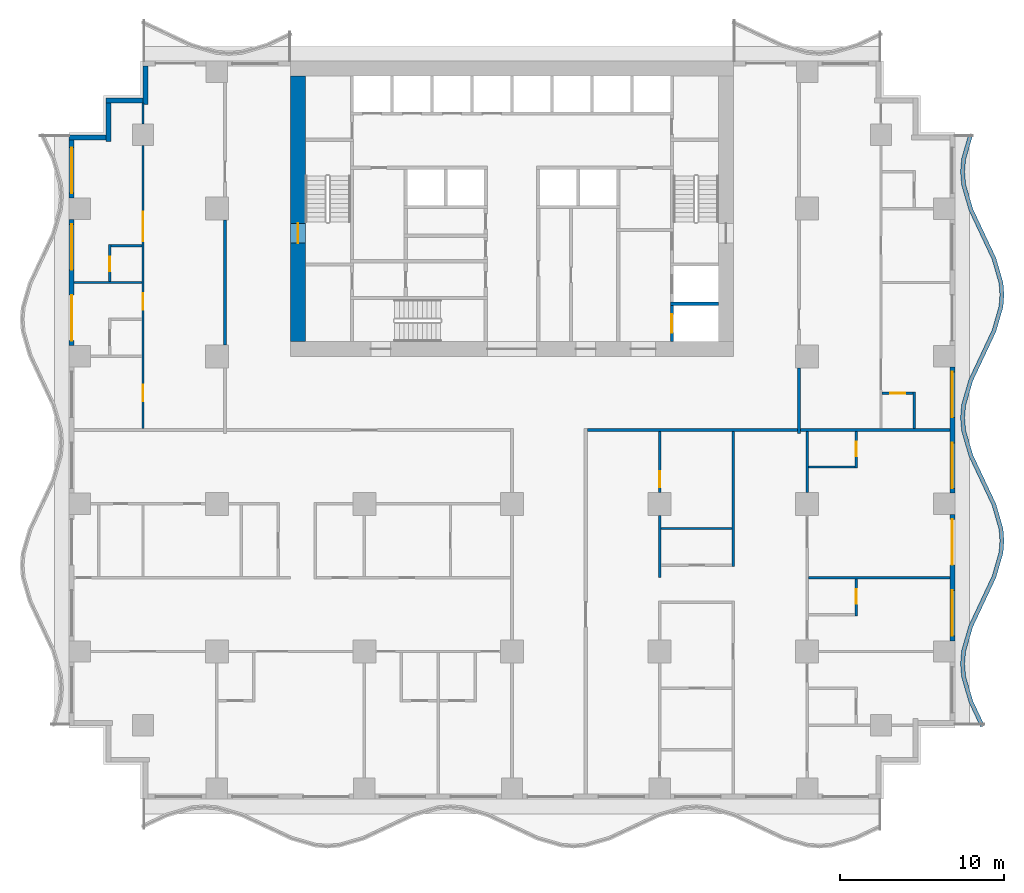
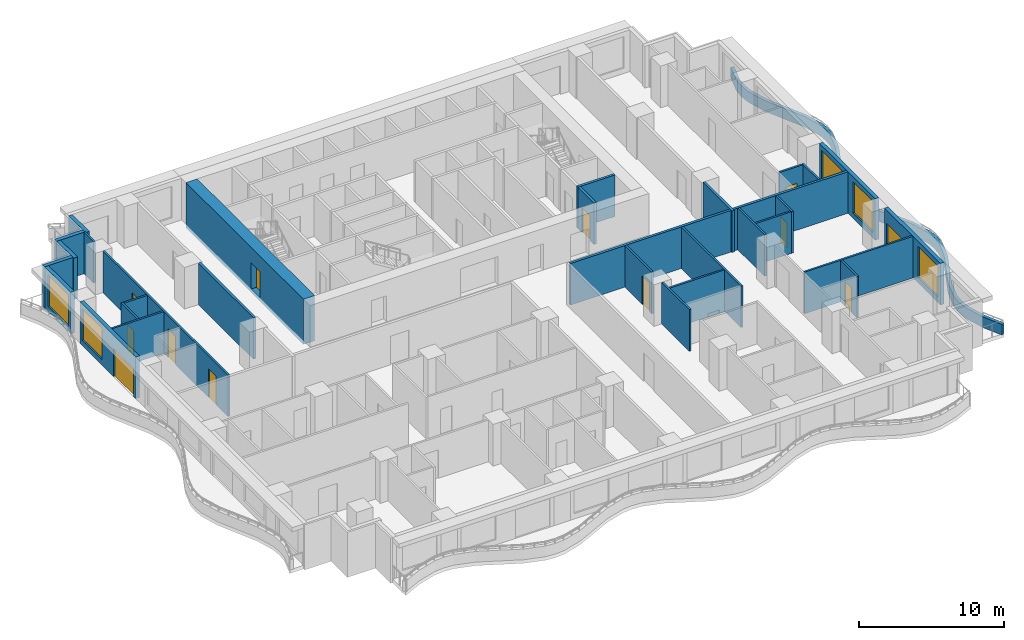
# One storey, part 4 of 13: 32 walls, 12 doors, 5 windows, 17 openings.
"""IFC4 building model written with IfcOpenShell, lengths in metres."""

from ifc_helpers import new_model, si_unit, direction, frame, frame_2d, origin, place, context, subcontext, project, spatial, polyline, rectangle, outline, extrude, material, layer, layer_set, type_object, element, fill, save


model = new_model("IFC4")

# Units and contexts
model_context = context("Model", 3, precision=1e-05, world=origin(), true_north=direction((0.0, 1.0)))
body_context = subcontext(model_context, "Body", "Model", "MODEL_VIEW")
ifc_project = project(units=[si_unit("LENGTHUNIT", "METRE"), si_unit("AREAUNIT", "SQUARE_METRE"), si_unit("VOLUMEUNIT", "CUBIC_METRE"), si_unit("PLANEANGLEUNIT", "RADIAN"), si_unit("MASSUNIT", "GRAM", prefix="KILO")], contexts=[model_context])

# Site, building, storey
site_placement = place(None, origin())
site = spatial("IfcSite", under=ifc_project, at=site_placement, CompositionType="ELEMENT")
building_placement = place(site_placement, origin())
building = spatial("IfcBuilding", under=site, at=building_placement, Name="Orbiselva Terraces", CompositionType="ELEMENT")
storey_placement = place(building_placement, frame((0.0, 0.0, 92.2)))
storey = spatial("IfcBuildingStorey", under=building, at=storey_placement, Name="L23", CompositionType="ELEMENT", Elevation=92.2)

# Wall, opening, door
ifc_material_1 = material(Name="Concrete C80/95", Category="concrete")
ifc_layer_1 = layer(ifc_material_1, 0.9)
ifc_layer_set_1 = layer_set([ifc_layer_1], Name="Concrete C80/95")
wall_type_1 = type_object("IfcWallType", Name="CORE WALL 900", PredefinedType="SHEAR", material=ifc_layer_set_1)
wall_1_placement = place(storey_placement, frame((-13.05, 21.6, -0.3), z_axis=(0.0, 0.0, 1.0), x_axis=(0.0, -1.0, 0.0)))
wall_1 = element("IfcWall", 1, at=wall_1_placement, inside=storey, type_object=wall_type_1, Name="Core wall L23 west", PredefinedType="SHEAR", context=body_context, shape_type="SweptSolid", body=[
    extrude(rectangle(XDim=16.2, YDim=0.9, at=frame_2d((8.1, 0.0))), origin(), (0.0, 0.0, 1.0), 3.8),
])
opening_1_placement = place(wall_1_placement, frame((9.0, 0.0, 0.3)))
opening_1 = element("IfcOpeningElement", 2, at=opening_1_placement, cuts=wall_1, Name="Opening DS1200", PredefinedType="OPENING", context=body_context, shape_type="SweptSolid", body=[
    extrude(rectangle(XDim=1.2, YDim=2.2, at=frame_2d((0.6, 1.1))), frame((0.0, 0.46, 0.0), z_axis=(0.0, -1.0, 0.0), x_axis=(1.0, 0.0, 0.0)), (0.0, 0.0, 1.0), 0.92),
])
ifc_material_2 = material(Name="Steel fire door", Category="steel")
door_type_1 = type_object("IfcDoorType", Name="STAIR DOOR 1200", OperationType="NOTDEFINED", PredefinedType="DOOR", material=ifc_material_2)
door_1_placement = place(opening_1_placement, frame((1.2, 0.0, 0.0), z_axis=(0.0, 0.0, 1.0), x_axis=(-1.0, 0.0, 0.0)))
door_1 = element("IfcDoor", 3, at=door_1_placement, inside=storey, type_object=door_type_1, Name="L23 EXIT STAIR S1 door", OperationType="SINGLE_SWING_RIGHT", OverallHeight=2.2, OverallWidth=1.2, PredefinedType="DOOR", context=body_context, shape_type="SweptSolid", body=[
    extrude(rectangle(XDim=1.2, YDim=2.2, at=frame_2d((0.6, 1.1))), frame((0.0, 0.025, 0.0), z_axis=(0.0, -1.0, 0.0), x_axis=(1.0, 0.0, 0.0)), (0.0, 0.0, 1.0), 0.05),
])
fill(opening_1, door_1)

ifc_material_3 = material(Name="Concrete C60/75", Category="concrete")
ifc_layer_2 = layer(ifc_material_3, 0.2)
ifc_layer_set_2 = layer_set([ifc_layer_2], Name="Concrete C60/75")
wall_type_2 = type_object("IfcWallType", Name="CORE-WALL-SHEAR-200", PredefinedType="SHEAR", material=ifc_layer_set_2)
wall_2_placement = place(storey_placement, frame((9.75, 5.4, 0.0), z_axis=(0.0, 0.0, 1.0), x_axis=(0.0, 1.0, 0.0)))
wall_2 = element("IfcWall", 4, at=wall_2_placement, inside=storey, type_object=wall_type_2, Name="L23 core wall 42", PredefinedType="SHEAR", context=body_context, shape_type="SweptSolid", body=[
    extrude(rectangle(XDim=2.2, YDim=0.2, at=frame_2d((1.1, 0.0))), origin(), (0.0, 0.0, 1.0), 3.5),
])
opening_2_placement = place(wall_2_placement, frame((0.55, 0.0, 0.0)))
opening_2 = element("IfcOpeningElement", 5, at=opening_2_placement, cuts=wall_2, Name="Opening LD-FF1", PredefinedType="OPENING", context=body_context, shape_type="SweptSolid", body=[
    extrude(rectangle(XDim=1.1, YDim=2.1, at=frame_2d((0.55, 1.05))), frame((0.0, 0.11, 0.0), z_axis=(0.0, -1.0, 0.0), x_axis=(1.0, 0.0, 0.0)), (0.0, 0.0, 1.0), 0.22),
])
ifc_material_4 = material(Name="Stainless steel landing door", Category="steel")
door_type_2 = type_object("IfcDoorType", Name="LANDING DOOR 1100", OperationType="SLIDING_TO_LEFT", PredefinedType="DOOR", material=ifc_material_4)
door_2_placement = place(opening_2_placement, origin())
door_2 = element("IfcDoor", 6, at=door_2_placement, inside=storey, type_object=door_type_2, Name="L23 landing door FF1", OperationType="SLIDING_TO_RIGHT", OverallHeight=2.1, OverallWidth=1.1, PredefinedType="DOOR", context=body_context, shape_type="SweptSolid", body=[
    extrude(rectangle(XDim=1.1, YDim=2.1, at=frame_2d((0.55, 1.05))), frame((0.0, 0.025, 0.0), z_axis=(0.0, -1.0, 0.0), x_axis=(1.0, 0.0, 0.0)), (0.0, 0.0, 1.0), 0.05),
])
fill(opening_2, door_2)

# Walls
wall_3_placement = place(storey_placement, frame((9.65, 7.7, 0.0), z_axis=(0.0, 0.0, 1.0), x_axis=(1.0, 0.0, 0.0)))
element("IfcWall", 7, at=wall_3_placement, inside=storey, type_object=wall_type_2, Name="L23 core wall 43", PredefinedType="SHEAR", context=body_context, shape_type="SweptSolid", body=[
    extrude(rectangle(XDim=2.95, YDim=0.2, at=frame_2d((1.475, 0.0))), origin(), (0.0, 0.0, 1.0), 3.5),
])
ifc_material_5 = material(Name="Concrete C40/50", Category="concrete")
ifc_layer_3 = layer(ifc_material_5, 0.25)
ifc_layer_set_3 = layer_set([ifc_layer_3], Name="Concrete C40/50")
wall_type_3 = type_object("IfcWallType", Name="ENV-PLANTER-250x900", PredefinedType="USERDEFINED", material=ifc_layer_set_3)
wall_4_placement = place(storey_placement, origin())
element("IfcWall", 8, at=wall_4_placement, inside=storey, type_object=wall_type_3, Name="Balcony planter L23 E", ObjectType="PLANTER", PredefinedType="USERDEFINED", context=body_context, shape_type="SweptSolid", body=[
    extrude(outline(polyline([(28.8, -18.0), (28.094658, -16.5), (27.658732, -15.0), (27.6, -14.25), (27.658732, -13.5), (28.094658, -12.0), (28.8, -10.5), (29.505342, -9.0), (29.941268, -7.5), (30.0, -6.75), (29.941268, -6.0), (29.505342, -4.5), (28.8, -3.0), (28.094658, -1.5), (27.658732, 0.0), (27.6, 0.75), (27.658732, 1.5), (28.094658, 3.0), (28.8, 4.5), (29.505342, 6.0), (29.941268, 7.5), (30.0, 8.25), (29.941268, 9.0), (29.505342, 10.5), (28.8, 12.0), (28.094658, 13.5), (27.658732, 15.0), (27.6, 15.75), (27.658732, 16.5), (28.094658, 18.0), (27.85459, 18.069768), (27.411499, 16.545114), (27.349235, 15.75), (27.411499, 14.954886), (27.860069, 13.411382), (28.573764, 11.893617), (29.270753, 10.411382), (29.694035, 8.954886), (29.749235, 8.25), (29.694035, 7.545114), (29.270753, 6.088618), (28.573764, 4.606383), (27.860069, 3.088618), (27.411499, 1.545114), (27.349235, 0.75), (27.411499, -0.045114), (27.860069, -1.588618), (28.573764, -3.106383), (29.270753, -4.588618), (29.694035, -6.045114), (29.749235, -6.75), (29.694035, -7.454886), (29.270753, -8.911382), (28.573764, -10.393617), (27.860069, -11.911382), (27.411499, -13.454886), (27.349235, -14.25), (27.411499, -15.045114), (27.860069, -16.588618), (28.573764, -18.106383), (28.8, -18.0)])), origin(), (0.0, 0.0, 1.0), 0.9),
])

# Wall, openings, door, window
ifc_material_6 = material(Name="Terracotta cladding on masonry backing", Category="masonry")
ifc_layer_4 = layer(ifc_material_6, 0.3)
ifc_layer_set_4 = layer_set([ifc_layer_4], Name="Terracotta cladding on masonry backing")
wall_type_4 = type_object("IfcWallType", Name="ENV-WALL-TERRACOTTA-300", PredefinedType="SOLIDWALL", material=ifc_layer_set_4)
wall_5_placement = place(storey_placement, frame((26.85, -5.15, 0.0), z_axis=(0.0, 0.0, 1.0), x_axis=(0.0, -1.0, 0.0)))
wall_5 = element("IfcWall", 9, at=wall_5_placement, inside=storey, type_object=wall_type_4, Name="Facade wall L23 E", PredefinedType="SOLIDWALL", context=body_context, shape_type="SweptSolid", body=[
    extrude(rectangle(XDim=7.7, YDim=0.3, at=frame_2d((3.85, 0.0))), origin(), (0.0, 0.0, 1.0), 3.5),
])
opening_3_placement = place(wall_5_placement, frame((4.625, 0.0, 0.45)))
opening_3 = element("IfcOpeningElement", 10, at=opening_3_placement, cuts=wall_5, Name="Opening WN6", PredefinedType="OPENING", context=body_context, shape_type="SweptSolid", body=[
    extrude(rectangle(XDim=2.775, YDim=2.65, at=frame_2d((1.3875, 1.325))), frame((0.0, 0.16, 0.0), z_axis=(0.0, -1.0, 0.0), x_axis=(1.0, 0.0, 0.0)), (0.0, 0.0, 1.0), 0.32),
])
opening_4_placement = place(wall_5_placement, frame((0.3, 0.0, 0.0)))
opening_4 = element("IfcOpeningElement", 11, at=opening_4_placement, cuts=wall_5, Name="Opening Z2-C-E04", PredefinedType="OPENING", context=body_context, shape_type="SweptSolid", body=[
    extrude(rectangle(XDim=2.775, YDim=2.4, at=frame_2d((1.3875, 1.2))), frame((0.0, 0.16, 0.0), z_axis=(0.0, -1.0, 0.0), x_axis=(1.0, 0.0, 0.0)), (0.0, 0.0, 1.0), 0.32),
])
ifc_material_7 = material(Name="Clear low-e glazing in aluminium frame", Category="aluminium")
door_type_3 = type_object("IfcDoorType", Name="BALCONY DOOR 2775 X 2400", OperationType="DOUBLE_DOOR_SLIDING", PredefinedType="DOOR", material=ifc_material_7)
door_3_placement = place(opening_4_placement, origin())
door_3 = element("IfcDoor", 12, at=door_3_placement, inside=storey, type_object=door_type_3, Name="Z2-C-E04", OperationType="SINGLE_SWING_LEFT", OverallHeight=2.4, OverallWidth=2.775, PredefinedType="DOOR", context=body_context, shape_type="SweptSolid", body=[
    extrude(rectangle(XDim=2.775, YDim=2.4, at=frame_2d((1.3875, 1.2))), frame((0.0, 0.025, 0.0), z_axis=(0.0, -1.0, 0.0), x_axis=(1.0, 0.0, 0.0)), (0.0, 0.0, 1.0), 0.05),
])
fill(opening_4, door_3)
window_type = type_object("IfcWindowType", Name="WINDOW 2775 X 2650 S450", PartitioningType="TRIPLE_PANEL_VERTICAL", PredefinedType="WINDOW", material=ifc_material_7)
window_1_placement = place(opening_3_placement, origin())
window_1 = element("IfcWindow", 13, at=window_1_placement, inside=storey, type_object=window_type, Name="Window L23 E", OverallHeight=2.65, OverallWidth=2.775, PartitioningType="SINGLE_PANEL", PredefinedType="WINDOW", context=body_context, shape_type="SweptSolid", body=[
    extrude(rectangle(XDim=2.775, YDim=2.65, at=frame_2d((1.3875, 1.325))), frame((0.0, 0.03, 0.0), z_axis=(0.0, -1.0, 0.0), x_axis=(1.0, 0.0, 0.0)), (0.0, 0.0, 1.0), 0.06),
])
fill(opening_3, window_1)

# Wall, openings, windows
wall_6_placement = place(storey_placement, frame((26.85, 3.85, 0.0), z_axis=(0.0, 0.0, 1.0), x_axis=(0.0, -1.0, 0.0)))
wall_6 = element("IfcWall", 14, at=wall_6_placement, inside=storey, type_object=wall_type_4, Name="Facade wall L23 E", PredefinedType="SOLIDWALL", context=body_context, shape_type="SweptSolid", body=[
    extrude(rectangle(XDim=7.7, YDim=0.3, at=frame_2d((3.85, 0.0))), origin(), (0.0, 0.0, 1.0), 3.5),
])
opening_5_placement = place(wall_6_placement, frame((4.625, 0.0, 0.45)))
opening_5 = element("IfcOpeningElement", 15, at=opening_5_placement, cuts=wall_6, Name="Opening WN6", PredefinedType="OPENING", context=body_context, shape_type="SweptSolid", body=[
    extrude(rectangle(XDim=2.775, YDim=2.65, at=frame_2d((1.3875, 1.325))), frame((0.0, 0.16, 0.0), z_axis=(0.0, -1.0, 0.0), x_axis=(1.0, 0.0, 0.0)), (0.0, 0.0, 1.0), 0.32),
])
opening_6_placement = place(wall_6_placement, frame((0.3, 0.0, 0.45)))
opening_6 = element("IfcOpeningElement", 16, at=opening_6_placement, cuts=wall_6, Name="Opening WN6", PredefinedType="OPENING", context=body_context, shape_type="SweptSolid", body=[
    extrude(rectangle(XDim=2.775, YDim=2.65, at=frame_2d((1.3875, 1.325))), frame((0.0, 0.16, 0.0), z_axis=(0.0, -1.0, 0.0), x_axis=(1.0, 0.0, 0.0)), (0.0, 0.0, 1.0), 0.32),
])
window_2_placement = place(opening_5_placement, origin())
window_2 = element("IfcWindow", 17, at=window_2_placement, inside=storey, type_object=window_type, Name="Window L23 E", OverallHeight=2.65, OverallWidth=2.775, PartitioningType="SINGLE_PANEL", PredefinedType="WINDOW", context=body_context, shape_type="SweptSolid", body=[
    extrude(rectangle(XDim=2.775, YDim=2.65, at=frame_2d((1.3875, 1.325))), frame((0.0, 0.03, 0.0), z_axis=(0.0, -1.0, 0.0), x_axis=(1.0, 0.0, 0.0)), (0.0, 0.0, 1.0), 0.06),
])
fill(opening_5, window_2)
window_3_placement = place(opening_6_placement, origin())
window_3 = element("IfcWindow", 18, at=window_3_placement, inside=storey, type_object=window_type, Name="Window L23 E", OverallHeight=2.65, OverallWidth=2.775, PartitioningType="SINGLE_PANEL", PredefinedType="WINDOW", context=body_context, shape_type="SweptSolid", body=[
    extrude(rectangle(XDim=2.775, YDim=2.65, at=frame_2d((1.3875, 1.325))), frame((0.0, 0.03, 0.0), z_axis=(0.0, -1.0, 0.0), x_axis=(1.0, 0.0, 0.0)), (0.0, 0.0, 1.0), 0.06),
])
fill(opening_6, window_3)

# Walls
wall_7_placement = place(storey_placement, frame((-22.35, 19.85, 0.0), z_axis=(0.0, 0.0, 1.0), x_axis=(0.0, 1.0, 0.0)))
element("IfcWall", 19, at=wall_7_placement, inside=storey, type_object=wall_type_4, Name="Facade wall L23 STEP", PredefinedType="SOLIDWALL", context=body_context, shape_type="SweptSolid", body=[
    extrude(rectangle(XDim=2.35, YDim=0.3, at=frame_2d((1.175, 0.0))), origin(), (0.0, 0.0, 1.0), 3.5),
])
wall_8_placement = place(storey_placement, frame((-24.75, 20.1, 0.0), z_axis=(0.0, 0.0, 1.0), x_axis=(1.0, 0.0, 0.0)))
element("IfcWall", 20, at=wall_8_placement, inside=storey, type_object=wall_type_4, Name="Facade wall L23 STEP", PredefinedType="SOLIDWALL", context=body_context, shape_type="SweptSolid", body=[
    extrude(rectangle(XDim=2.25, YDim=0.3, at=frame_2d((1.125, 0.0))), origin(), (0.0, 0.0, 1.0), 3.5),
])
wall_9_placement = place(storey_placement, frame((-24.6, 17.6, 0.0), z_axis=(0.0, 0.0, 1.0), x_axis=(0.0, 1.0, 0.0)))
element("IfcWall", 21, at=wall_9_placement, inside=storey, type_object=wall_type_4, Name="Facade wall L23 STEP", PredefinedType="SOLIDWALL", context=body_context, shape_type="SweptSolid", body=[
    extrude(rectangle(XDim=2.35, YDim=0.3, at=frame_2d((1.175, 0.0))), origin(), (0.0, 0.0, 1.0), 3.5),
])
wall_10_placement = place(storey_placement, frame((-27.0, 17.85, 0.0), z_axis=(0.0, 0.0, 1.0), x_axis=(1.0, 0.0, 0.0)))
element("IfcWall", 22, at=wall_10_placement, inside=storey, type_object=wall_type_4, Name="Facade wall L23 STEP", PredefinedType="SOLIDWALL", context=body_context, shape_type="SweptSolid", body=[
    extrude(rectangle(XDim=2.25, YDim=0.3, at=frame_2d((1.125, 0.0))), origin(), (0.0, 0.0, 1.0), 3.5),
])

# Wall, opening, window
wall_11_placement = place(storey_placement, frame((-26.85, 14.15, 0.0), z_axis=(0.0, 0.0, 1.0), x_axis=(0.0, 1.0, 0.0)))
wall_11 = element("IfcWall", 23, at=wall_11_placement, inside=storey, type_object=wall_type_4, Name="Facade wall L23 W", PredefinedType="SOLIDWALL", context=body_context, shape_type="SweptSolid", body=[
    extrude(rectangle(XDim=3.55, YDim=0.3, at=frame_2d((1.775, 0.0))), origin(), (0.0, 0.0, 1.0), 3.5),
])
opening_7_placement = place(wall_11_placement, frame((0.3, 0.0, 0.45)))
opening_7 = element("IfcOpeningElement", 24, at=opening_7_placement, cuts=wall_11, Name="Opening WN6", PredefinedType="OPENING", context=body_context, shape_type="SweptSolid", body=[
    extrude(rectangle(XDim=2.775, YDim=2.65, at=frame_2d((1.3875, 1.325))), frame((0.0, 0.16, 0.0), z_axis=(0.0, -1.0, 0.0), x_axis=(1.0, 0.0, 0.0)), (0.0, 0.0, 1.0), 0.32),
])
window_4_placement = place(opening_7_placement, origin())
window_4 = element("IfcWindow", 25, at=window_4_placement, inside=storey, type_object=window_type, Name="Window L23 W", OverallHeight=2.65, OverallWidth=2.775, PartitioningType="SINGLE_PANEL", PredefinedType="WINDOW", context=body_context, shape_type="SweptSolid", body=[
    extrude(rectangle(XDim=2.775, YDim=2.65, at=frame_2d((1.3875, 1.325))), frame((0.0, 0.03, 0.0), z_axis=(0.0, -1.0, 0.0), x_axis=(1.0, 0.0, 0.0)), (0.0, 0.0, 1.0), 0.06),
])
fill(opening_7, window_4)

# Wall, openings, door, window
wall_12_placement = place(storey_placement, frame((-26.85, 5.15, 0.0), z_axis=(0.0, 0.0, 1.0), x_axis=(0.0, 1.0, 0.0)))
wall_12 = element("IfcWall", 26, at=wall_12_placement, inside=storey, type_object=wall_type_4, Name="Facade wall L23 W", PredefinedType="SOLIDWALL", context=body_context, shape_type="SweptSolid", body=[
    extrude(rectangle(XDim=7.7, YDim=0.3, at=frame_2d((3.85, 0.0))), origin(), (0.0, 0.0, 1.0), 3.5),
])
opening_8_placement = place(wall_12_placement, frame((4.625, 0.0, 0.45)))
opening_8 = element("IfcOpeningElement", 27, at=opening_8_placement, cuts=wall_12, Name="Opening WN6", PredefinedType="OPENING", context=body_context, shape_type="SweptSolid", body=[
    extrude(rectangle(XDim=2.775, YDim=2.65, at=frame_2d((1.3875, 1.325))), frame((0.0, 0.16, 0.0), z_axis=(0.0, -1.0, 0.0), x_axis=(1.0, 0.0, 0.0)), (0.0, 0.0, 1.0), 0.32),
])
opening_9_placement = place(wall_12_placement, frame((0.3, 0.0, 0.0)))
opening_9 = element("IfcOpeningElement", 28, at=opening_9_placement, cuts=wall_12, Name="Opening Z2-C-E08", PredefinedType="OPENING", context=body_context, shape_type="SweptSolid", body=[
    extrude(rectangle(XDim=2.775, YDim=2.4, at=frame_2d((1.3875, 1.2))), frame((0.0, 0.16, 0.0), z_axis=(0.0, -1.0, 0.0), x_axis=(1.0, 0.0, 0.0)), (0.0, 0.0, 1.0), 0.32),
])
door_4_placement = place(opening_9_placement, origin())
door_4 = element("IfcDoor", 29, at=door_4_placement, inside=storey, type_object=door_type_3, Name="Z2-C-E08", OperationType="SINGLE_SWING_LEFT", OverallHeight=2.4, OverallWidth=2.775, PredefinedType="DOOR", context=body_context, shape_type="SweptSolid", body=[
    extrude(rectangle(XDim=2.775, YDim=2.4, at=frame_2d((1.3875, 1.2))), frame((0.0, 0.025, 0.0), z_axis=(0.0, -1.0, 0.0), x_axis=(1.0, 0.0, 0.0)), (0.0, 0.0, 1.0), 0.05),
])
fill(opening_9, door_4)
window_5_placement = place(opening_8_placement, origin())
window_5 = element("IfcWindow", 30, at=window_5_placement, inside=storey, type_object=window_type, Name="Window L23 W", OverallHeight=2.65, OverallWidth=2.775, PartitioningType="SINGLE_PANEL", PredefinedType="WINDOW", context=body_context, shape_type="SweptSolid", body=[
    extrude(rectangle(XDim=2.775, YDim=2.65, at=frame_2d((1.3875, 1.325))), frame((0.0, 0.03, 0.0), z_axis=(0.0, -1.0, 0.0), x_axis=(1.0, 0.0, 0.0)), (0.0, 0.0, 1.0), 0.06),
])
fill(opening_8, window_5)

# Walls
ifc_material_8 = material(Name="Plasterboard on steel stud partition", Category="steel")
ifc_layer_5 = layer(ifc_material_8, 0.2)
ifc_layer_set_5 = layer_set([ifc_layer_5], Name="Plasterboard on steel stud partition")
wall_type_5 = type_object("IfcWallType", Name="UNIT-ENTRANCE-WALL-200", PredefinedType="PARTITIONING", material=ifc_layer_set_5)
wall_13_placement = place(storey_placement, frame((4.6, 0.0, 0.0), z_axis=(0.0, 0.0, 1.0), x_axis=(1.0, 0.0, 0.0)))
element("IfcWall", 31, at=wall_13_placement, inside=storey, type_object=wall_type_5, Name="PARTITION L23-026", PredefinedType="PARTITIONING", context=body_context, shape_type="SweptSolid", body=[
    extrude(rectangle(XDim=12.8, YDim=0.2, at=frame_2d((6.4, 0.0))), origin(), (0.0, 0.0, 1.0), 3.5),
])
wall_14_placement = place(storey_placement, frame((-17.5, 5.2, 0.0), z_axis=(0.0, 0.0, 1.0), x_axis=(0.0, 1.0, 0.0)))
element("IfcWall", 32, at=wall_14_placement, inside=storey, type_object=wall_type_5, Name="PARTITION L23-045", PredefinedType="PARTITIONING", context=body_context, shape_type="SweptSolid", body=[
    extrude(rectangle(XDim=7.6, YDim=0.2, at=frame_2d((3.8, 0.0))), origin(), (0.0, 0.0, 1.0), 3.5),
])
wall_15_placement = place(storey_placement, frame((17.5, -0.2, 0.0), z_axis=(0.0, 0.0, 1.0), x_axis=(0.0, 1.0, 0.0)))
element("IfcWall", 33, at=wall_15_placement, inside=storey, type_object=wall_type_5, Name="PARTITION L23-067", PredefinedType="PARTITIONING", context=body_context, shape_type="SweptSolid", body=[
    extrude(rectangle(XDim=4.0, YDim=0.2, at=frame_2d((2.0, 0.0))), origin(), (0.0, 0.0, 1.0), 3.5),
])
ifc_layer_6 = layer(ifc_material_8, 0.15)
ifc_layer_set_6 = layer_set([ifc_layer_6], Name="Plasterboard on steel stud partition")
wall_type_6 = type_object("IfcWallType", Name="UNIT-PARTITION-150", PredefinedType="PARTITIONING", material=ifc_layer_set_6)
wall_16_placement = place(storey_placement, frame((18.075, -9.0, 0.0), z_axis=(0.0, 0.0, 1.0), x_axis=(1.0, 0.0, 0.0)))
element("IfcWall", 34, at=wall_16_placement, inside=storey, type_object=wall_type_6, Name="PARTITION L23-017", PredefinedType="PARTITIONING", context=body_context, shape_type="SweptSolid", body=[
    extrude(rectangle(XDim=8.625, YDim=0.15, at=frame_2d((4.3125, 0.0))), origin(), (0.0, 0.0, 1.0), 3.5),
])
wall_17_placement = place(storey_placement, frame((9.075, -6.0, 0.0), z_axis=(0.0, 0.0, 1.0), x_axis=(1.0, 0.0, 0.0)))
element("IfcWall", 35, at=wall_17_placement, inside=storey, type_object=wall_type_6, Name="PARTITION L23-019", PredefinedType="PARTITIONING", context=body_context, shape_type="SweptSolid", body=[
    extrude(rectangle(XDim=4.35, YDim=0.15, at=frame_2d((2.175, 0.0))), origin(), (0.0, 0.0, 1.0), 3.5),
])
wall_18_placement = place(storey_placement, frame((18.075, -2.25, 0.0), z_axis=(0.0, 0.0, 1.0), x_axis=(1.0, 0.0, 0.0)))
element("IfcWall", 36, at=wall_18_placement, inside=storey, type_object=wall_type_6, Name="PARTITION L23-024", PredefinedType="PARTITIONING", context=body_context, shape_type="SweptSolid", body=[
    extrude(rectangle(XDim=2.85, YDim=0.15, at=frame_2d((1.425, 0.0))), origin(), (0.0, 0.0, 1.0), 3.5),
])

# Wall, opening, door
wall_19_placement = place(storey_placement, frame((24.45, 2.25, 0.0), z_axis=(0.0, 0.0, 1.0), x_axis=(-1.0, 0.0, 0.0)))
wall_19 = element("IfcWall", 37, at=wall_19_placement, inside=storey, type_object=wall_type_6, Name="PARTITION L23-029", PredefinedType="PARTITIONING", context=body_context, shape_type="SweptSolid", body=[
    extrude(rectangle(XDim=1.875, YDim=0.15, at=frame_2d((0.9375, 0.0))), origin(), (0.0, 0.0, 1.0), 3.5),
])
opening_10_placement = place(wall_19_placement, frame((0.475, 0.0, 0.0)))
opening_10 = element("IfcOpeningElement", 38, at=opening_10_placement, cuts=wall_19, Name="Opening Z2-C-09", PredefinedType="OPENING", context=body_context, shape_type="SweptSolid", body=[
    extrude(rectangle(XDim=0.9, YDim=2.1, at=frame_2d((0.45, 1.05))), frame((0.0, 0.085, 0.0), z_axis=(0.0, -1.0, 0.0), x_axis=(1.0, 0.0, 0.0)), (0.0, 0.0, 1.0), 0.17),
])
ifc_material_9 = material(Name="Painted timber door leaf", Category="wood")
door_type_4 = type_object("IfcDoorType", Name="BATH DOOR 900", OperationType="NOTDEFINED", PredefinedType="DOOR", material=ifc_material_9)
door_5_placement = place(opening_10_placement, origin())
door_5 = element("IfcDoor", 39, at=door_5_placement, inside=storey, type_object=door_type_4, Name="Z2-C-09", OperationType="SINGLE_SWING_LEFT", OverallHeight=2.1, OverallWidth=0.9, PredefinedType="DOOR", context=body_context, shape_type="SweptSolid", body=[
    extrude(rectangle(XDim=0.9, YDim=2.1, at=frame_2d((0.45, 1.05))), frame((0.0, 0.025, 0.0), z_axis=(0.0, -1.0, 0.0), x_axis=(1.0, 0.0, 0.0)), (0.0, 0.0, 1.0), 0.05),
])
fill(opening_10, door_5)

# Walls
wall_20_placement = place(storey_placement, frame((-26.7, 9.0, 0.0), z_axis=(0.0, 0.0, 1.0), x_axis=(1.0, 0.0, 0.0)))
element("IfcWall", 40, at=wall_20_placement, inside=storey, type_object=wall_type_6, Name="PARTITION L23-032", PredefinedType="PARTITIONING", context=body_context, shape_type="SweptSolid", body=[
    extrude(rectangle(XDim=4.125, YDim=0.15, at=frame_2d((2.0625, 0.0))), origin(), (0.0, 0.0, 1.0), 3.5),
])
wall_21_placement = place(storey_placement, frame((-24.45, 11.25, 0.0), z_axis=(0.0, 0.0, 1.0), x_axis=(1.0, 0.0, 0.0)))
element("IfcWall", 41, at=wall_21_placement, inside=storey, type_object=wall_type_6, Name="PARTITION L23-034", PredefinedType="PARTITIONING", context=body_context, shape_type="SweptSolid", body=[
    extrude(rectangle(XDim=1.875, YDim=0.15, at=frame_2d((0.9375, 0.0))), origin(), (0.0, 0.0, 1.0), 3.5),
])

# Wall, opening, door
wall_22_placement = place(storey_placement, frame((-24.525, 11.325, 0.0), z_axis=(0.0, 0.0, 1.0), x_axis=(0.0, -1.0, 0.0)))
wall_22 = element("IfcWall", 42, at=wall_22_placement, inside=storey, type_object=wall_type_6, Name="PARTITION L23-039", PredefinedType="PARTITIONING", context=body_context, shape_type="SweptSolid", body=[
    extrude(rectangle(XDim=2.25, YDim=0.15, at=frame_2d((1.125, 0.0))), origin(), (0.0, 0.0, 1.0), 3.5),
])
opening_11_placement = place(wall_22_placement, frame((0.75, 0.0, 0.0)))
opening_11 = element("IfcOpeningElement", 43, at=opening_11_placement, cuts=wall_22, Name="Opening Z2-C-06", PredefinedType="OPENING", context=body_context, shape_type="SweptSolid", body=[
    extrude(rectangle(XDim=0.9, YDim=2.1, at=frame_2d((0.45, 1.05))), frame((0.0, 0.085, 0.0), z_axis=(0.0, -1.0, 0.0), x_axis=(1.0, 0.0, 0.0)), (0.0, 0.0, 1.0), 0.17),
])
door_6_placement = place(opening_11_placement, origin())
door_6 = element("IfcDoor", 44, at=door_6_placement, inside=storey, type_object=door_type_4, Name="Z2-C-06", OperationType="SINGLE_SWING_RIGHT", OverallHeight=2.1, OverallWidth=0.9, PredefinedType="DOOR", context=body_context, shape_type="SweptSolid", body=[
    extrude(rectangle(XDim=0.9, YDim=2.1, at=frame_2d((0.45, 1.05))), frame((0.0, 0.025, 0.0), z_axis=(0.0, -1.0, 0.0), x_axis=(1.0, 0.0, 0.0)), (0.0, 0.0, 1.0), 0.05),
])
fill(opening_11, door_6)

# Wall, openings, doors
wall_23_placement = place(storey_placement, frame((-22.5, 0.1, 0.0), z_axis=(0.0, 0.0, 1.0), x_axis=(0.0, 1.0, 0.0)))
wall_23 = element("IfcWall", 45, at=wall_23_placement, inside=storey, type_object=wall_type_6, Name="PARTITION L23-041", PredefinedType="PARTITIONING", context=body_context, shape_type="SweptSolid", body=[
    extrude(rectangle(XDim=17.25, YDim=0.15, at=frame_2d((8.625, 0.0))), origin(), (0.0, 0.0, 1.0), 3.5),
])
opening_12_placement = place(wall_23_placement, frame((1.65, 0.0, 0.0)))
opening_12 = element("IfcOpeningElement", 46, at=opening_12_placement, cuts=wall_23, Name="Opening Z2-C-02", PredefinedType="OPENING", context=body_context, shape_type="SweptSolid", body=[
    extrude(rectangle(XDim=1.0, YDim=2.4, at=frame_2d((0.5, 1.2))), frame((0.0, 0.085, 0.0), z_axis=(0.0, -1.0, 0.0), x_axis=(1.0, 0.0, 0.0)), (0.0, 0.0, 1.0), 0.17),
])
opening_13_placement = place(wall_23_placement, frame((7.25, 0.0, 0.0)))
opening_13 = element("IfcOpeningElement", 47, at=opening_13_placement, cuts=wall_23, Name="Opening Z2-C-03", PredefinedType="OPENING", context=body_context, shape_type="SweptSolid", body=[
    extrude(rectangle(XDim=1.0, YDim=2.4, at=frame_2d((0.5, 1.2))), frame((0.0, 0.085, 0.0), z_axis=(0.0, -1.0, 0.0), x_axis=(1.0, 0.0, 0.0)), (0.0, 0.0, 1.0), 0.17),
])
opening_14_placement = place(wall_23_placement, frame((11.4, 0.0, 0.0)))
opening_14 = element("IfcOpeningElement", 48, at=opening_14_placement, cuts=wall_23, Name="Opening Z2-C-05", PredefinedType="OPENING", context=body_context, shape_type="SweptSolid", body=[
    extrude(rectangle(XDim=1.8, YDim=2.4, at=frame_2d((0.9, 1.2))), frame((0.0, 0.085, 0.0), z_axis=(0.0, -1.0, 0.0), x_axis=(1.0, 0.0, 0.0)), (0.0, 0.0, 1.0), 0.17),
])
door_type_5 = type_object("IfcDoorType", Name="DOUBLE DOOR 1800", OperationType="NOTDEFINED", PredefinedType="DOOR", material=ifc_material_9)
door_7_placement = place(opening_14_placement, origin())
door_7 = element("IfcDoor", 49, at=door_7_placement, inside=storey, type_object=door_type_5, Name="Z2-C-05", OperationType="DOUBLE_DOOR_SINGLE_SWING", OverallHeight=2.4, OverallWidth=1.8, PredefinedType="DOOR", context=body_context, shape_type="SweptSolid", body=[
    extrude(rectangle(XDim=1.8, YDim=2.4, at=frame_2d((0.9, 1.2))), frame((0.0, 0.025, 0.0), z_axis=(0.0, -1.0, 0.0), x_axis=(1.0, 0.0, 0.0)), (0.0, 0.0, 1.0), 0.05),
])
fill(opening_14, door_7)
door_type_6 = type_object("IfcDoorType", Name="ROOM DOOR 1000", OperationType="NOTDEFINED", PredefinedType="DOOR", material=ifc_material_9)
door_8_placement = place(opening_12_placement, origin())
door_8 = element("IfcDoor", 50, at=door_8_placement, inside=storey, type_object=door_type_6, Name="Z2-C-02", OperationType="SINGLE_SWING_LEFT", OverallHeight=2.4, OverallWidth=1.0, PredefinedType="DOOR", context=body_context, shape_type="SweptSolid", body=[
    extrude(rectangle(XDim=1.0, YDim=2.4, at=frame_2d((0.5, 1.2))), frame((0.0, 0.025, 0.0), z_axis=(0.0, -1.0, 0.0), x_axis=(1.0, 0.0, 0.0)), (0.0, 0.0, 1.0), 0.05),
])
fill(opening_12, door_8)
door_9_placement = place(opening_13_placement, origin())
door_9 = element("IfcDoor", 51, at=door_9_placement, inside=storey, type_object=door_type_6, Name="Z2-C-03", OperationType="SINGLE_SWING_LEFT", OverallHeight=2.4, OverallWidth=1.0, PredefinedType="DOOR", context=body_context, shape_type="SweptSolid", body=[
    extrude(rectangle(XDim=1.0, YDim=2.4, at=frame_2d((0.5, 1.2))), frame((0.0, 0.025, 0.0), z_axis=(0.0, -1.0, 0.0), x_axis=(1.0, 0.0, 0.0)), (0.0, 0.0, 1.0), 0.05),
])
fill(opening_13, door_9)

# Walls
wall_24_placement = place(storey_placement, frame((-22.5, 18.65, 0.0), z_axis=(0.0, 0.0, 1.0), x_axis=(0.0, 1.0, 0.0)))
element("IfcWall", 52, at=wall_24_placement, inside=storey, type_object=wall_type_6, Name="PARTITION L23-042", PredefinedType="PARTITIONING", context=body_context, shape_type="SweptSolid", body=[
    extrude(rectangle(XDim=1.3, YDim=0.15, at=frame_2d((0.65, 0.0))), origin(), (0.0, 0.0, 1.0), 3.5),
])
wall_25_placement = place(storey_placement, frame((9.0, -9.0, 0.0), z_axis=(0.0, 0.0, 1.0), x_axis=(0.0, 1.0, 0.0)))
element("IfcWall", 53, at=wall_25_placement, inside=storey, type_object=wall_type_6, Name="PARTITION L23-063", PredefinedType="PARTITIONING", context=body_context, shape_type="SweptSolid", body=[
    extrude(rectangle(XDim=3.8, YDim=0.15, at=frame_2d((1.9, 0.0))), origin(), (0.0, 0.0, 1.0), 3.5),
])

# Wall, opening, door
wall_26_placement = place(storey_placement, frame((9.0, -0.1, 0.0), z_axis=(0.0, 0.0, 1.0), x_axis=(0.0, -1.0, 0.0)))
wall_26 = element("IfcWall", 54, at=wall_26_placement, inside=storey, type_object=wall_type_6, Name="PARTITION L23-064", PredefinedType="PARTITIONING", context=body_context, shape_type="SweptSolid", body=[
    extrude(rectangle(XDim=3.7, YDim=0.15, at=frame_2d((1.85, 0.0))), origin(), (0.0, 0.0, 1.0), 3.5),
])
opening_15_placement = place(wall_26_placement, frame((2.4, 0.0, 0.0)))
opening_15 = element("IfcOpeningElement", 55, at=opening_15_placement, cuts=wall_26, Name="Opening Z2-C-29", PredefinedType="OPENING", context=body_context, shape_type="SweptSolid", body=[
    extrude(rectangle(XDim=1.0, YDim=2.4, at=frame_2d((0.5, 1.2))), frame((0.0, 0.085, 0.0), z_axis=(0.0, -1.0, 0.0), x_axis=(1.0, 0.0, 0.0)), (0.0, 0.0, 1.0), 0.17),
])
door_10_placement = place(opening_15_placement, origin())
door_10 = element("IfcDoor", 56, at=door_10_placement, inside=storey, type_object=door_type_6, Name="Z2-C-29", OperationType="SINGLE_SWING_RIGHT", OverallHeight=2.4, OverallWidth=1.0, PredefinedType="DOOR", context=body_context, shape_type="SweptSolid", body=[
    extrude(rectangle(XDim=1.0, YDim=2.4, at=frame_2d((0.5, 1.2))), frame((0.0, 0.025, 0.0), z_axis=(0.0, -1.0, 0.0), x_axis=(1.0, 0.0, 0.0)), (0.0, 0.0, 1.0), 0.05),
])
fill(opening_15, door_10)

# Walls
wall_27_placement = place(storey_placement, frame((13.5, -8.325, 0.0), z_axis=(0.0, 0.0, 1.0), x_axis=(0.0, 1.0, 0.0)))
element("IfcWall", 57, at=wall_27_placement, inside=storey, type_object=wall_type_6, Name="PARTITION L23-066", PredefinedType="PARTITIONING", context=body_context, shape_type="SweptSolid", body=[
    extrude(rectangle(XDim=8.225, YDim=0.15, at=frame_2d((4.1125, 0.0))), origin(), (0.0, 0.0, 1.0), 3.5),
])
wall_28_placement = place(storey_placement, frame((18.0, -3.8, 0.0), z_axis=(0.0, 0.0, 1.0), x_axis=(0.0, 1.0, 0.0)))
element("IfcWall", 58, at=wall_28_placement, inside=storey, type_object=wall_type_6, Name="PARTITION L23-072", PredefinedType="PARTITIONING", context=body_context, shape_type="SweptSolid", body=[
    extrude(rectangle(XDim=3.7, YDim=0.15, at=frame_2d((1.85, 0.0))), origin(), (0.0, 0.0, 1.0), 3.5),
])

# Wall, opening, door
wall_29_placement = place(storey_placement, frame((21.0, -11.325, 0.0), z_axis=(0.0, 0.0, 1.0), x_axis=(0.0, 1.0, 0.0)))
wall_29 = element("IfcWall", 59, at=wall_29_placement, inside=storey, type_object=wall_type_6, Name="PARTITION L23-074", PredefinedType="PARTITIONING", context=body_context, shape_type="SweptSolid", body=[
    extrude(rectangle(XDim=2.25, YDim=0.15, at=frame_2d((1.125, 0.0))), origin(), (0.0, 0.0, 1.0), 3.5),
])
opening_16_placement = place(wall_29_placement, frame((0.725, 0.0, 0.0)))
opening_16 = element("IfcOpeningElement", 60, at=opening_16_placement, cuts=wall_29, Name="Opening Z2-C-37", PredefinedType="OPENING", context=body_context, shape_type="SweptSolid", body=[
    extrude(rectangle(XDim=0.9, YDim=2.1, at=frame_2d((0.45, 1.05))), frame((0.0, 0.085, 0.0), z_axis=(0.0, -1.0, 0.0), x_axis=(1.0, 0.0, 0.0)), (0.0, 0.0, 1.0), 0.17),
])
door_11_placement = place(opening_16_placement, origin())
door_11 = element("IfcDoor", 61, at=door_11_placement, inside=storey, type_object=door_type_4, Name="Z2-C-37", OperationType="SINGLE_SWING_RIGHT", OverallHeight=2.1, OverallWidth=0.9, PredefinedType="DOOR", context=body_context, shape_type="SweptSolid", body=[
    extrude(rectangle(XDim=0.9, YDim=2.1, at=frame_2d((0.45, 1.05))), frame((0.0, 0.025, 0.0), z_axis=(0.0, -1.0, 0.0), x_axis=(1.0, 0.0, 0.0)), (0.0, 0.0, 1.0), 0.05),
])
fill(opening_16, door_11)

wall_30_placement = place(storey_placement, frame((21.0, -2.325, 0.0), z_axis=(0.0, 0.0, 1.0), x_axis=(0.0, 1.0, 0.0)))
wall_30 = element("IfcWall", 62, at=wall_30_placement, inside=storey, type_object=wall_type_6, Name="PARTITION L23-075", PredefinedType="PARTITIONING", context=body_context, shape_type="SweptSolid", body=[
    extrude(rectangle(XDim=2.225, YDim=0.15, at=frame_2d((1.1125, 0.0))), origin(), (0.0, 0.0, 1.0), 3.5),
])
opening_17_placement = place(wall_30_placement, frame((0.725, 0.0, 0.0)))
opening_17 = element("IfcOpeningElement", 63, at=opening_17_placement, cuts=wall_30, Name="Opening Z2-C-35", PredefinedType="OPENING", context=body_context, shape_type="SweptSolid", body=[
    extrude(rectangle(XDim=0.9, YDim=2.1, at=frame_2d((0.45, 1.05))), frame((0.0, 0.085, 0.0), z_axis=(0.0, -1.0, 0.0), x_axis=(1.0, 0.0, 0.0)), (0.0, 0.0, 1.0), 0.17),
])
door_12_placement = place(opening_17_placement, origin())
door_12 = element("IfcDoor", 64, at=door_12_placement, inside=storey, type_object=door_type_4, Name="Z2-C-35", OperationType="SINGLE_SWING_RIGHT", OverallHeight=2.1, OverallWidth=0.9, PredefinedType="DOOR", context=body_context, shape_type="SweptSolid", body=[
    extrude(rectangle(XDim=0.9, YDim=2.1, at=frame_2d((0.45, 1.05))), frame((0.0, 0.025, 0.0), z_axis=(0.0, -1.0, 0.0), x_axis=(1.0, 0.0, 0.0)), (0.0, 0.0, 1.0), 0.05),
])
fill(opening_17, door_12)

# Walls
wall_31_placement = place(storey_placement, frame((24.525, 0.1, 0.0), z_axis=(0.0, 0.0, 1.0), x_axis=(0.0, 1.0, 0.0)))
element("IfcWall", 65, at=wall_31_placement, inside=storey, type_object=wall_type_6, Name="PARTITION L23-078", PredefinedType="PARTITIONING", context=body_context, shape_type="SweptSolid", body=[
    extrude(rectangle(XDim=2.225, YDim=0.15, at=frame_2d((1.1125, 0.0))), origin(), (0.0, 0.0, 1.0), 3.5),
])
ifc_layer_7 = layer(ifc_material_8, 0.2)
ifc_layer_set_7 = layer_set([ifc_layer_7], Name="Plasterboard on steel stud partition")
wall_type_7 = type_object("IfcWallType", Name="UNIT-PARTY-WALL-200", PredefinedType="PARTITIONING", material=ifc_layer_set_7)
wall_32_placement = place(storey_placement, frame((17.6, 0.0, 0.0), z_axis=(0.0, 0.0, 1.0), x_axis=(1.0, 0.0, 0.0)))
element("IfcWall", 66, at=wall_32_placement, inside=storey, type_object=wall_type_7, Name="PARTITION L23-028", PredefinedType="PARTITIONING", context=body_context, shape_type="SweptSolid", body=[
    extrude(rectangle(XDim=9.1, YDim=0.2, at=frame_2d((4.55, 0.0))), origin(), (0.0, 0.0, 1.0), 3.5),
])

save(model, "model.ifc")
